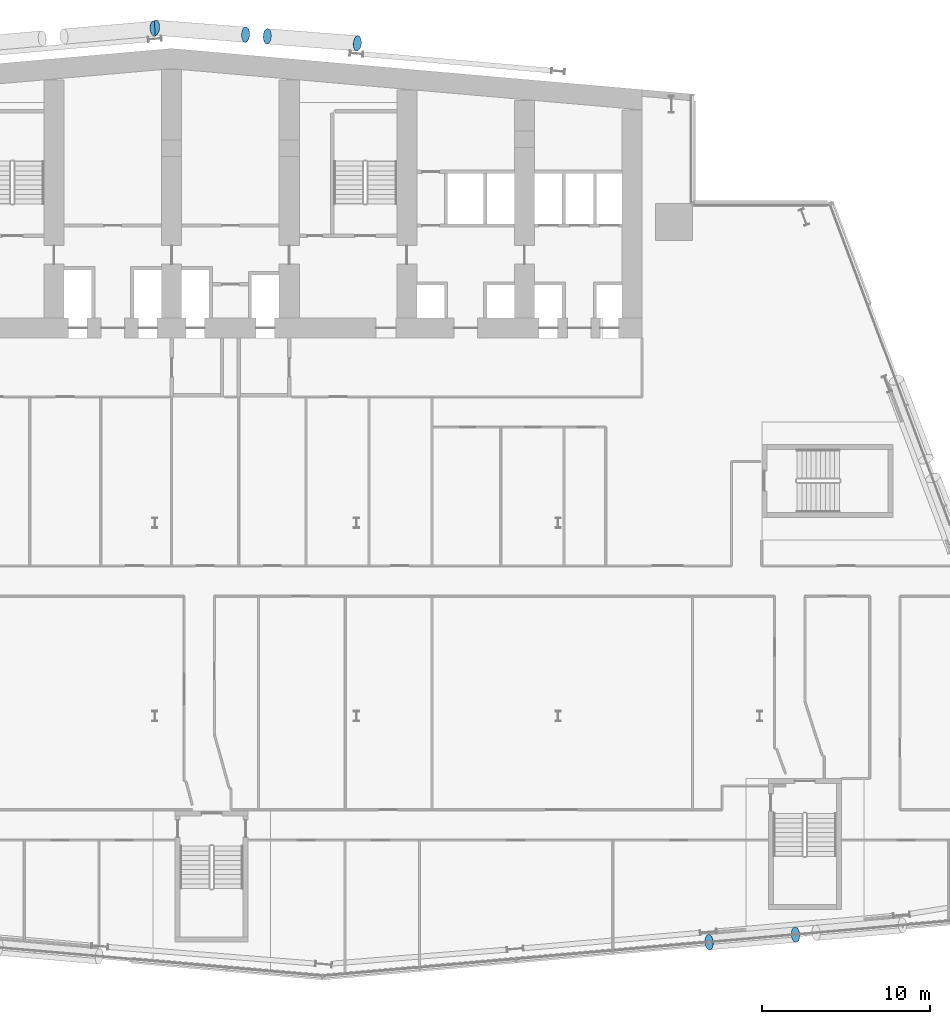
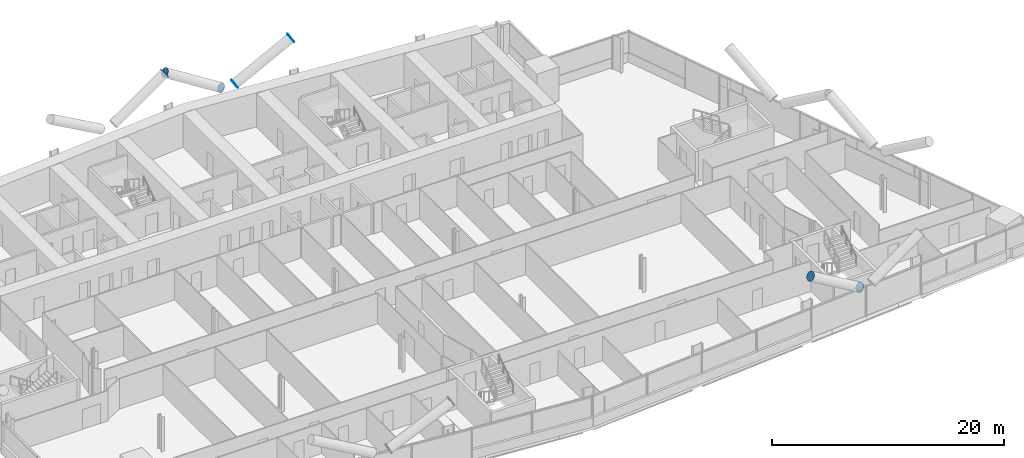
# One storey, part 22 of 27: 7 discrete accessories.
"""IFC4 building model written with IfcOpenShell, lengths in metres."""

from ifc_helpers import new_model, si_unit, direction, frame, origin, origin_2d, place, context, subcontext, project, spatial, circle, extrude, material, material_profile, profile_set, type_object, element, save


model = new_model("IFC4")

# Units and contexts
model_context = context("Model", 3, precision=1e-05, world=origin(), true_north=direction((0.0, 1.0)))
body_context = subcontext(model_context, "Body", "Model", "MODEL_VIEW")
ifc_project = project(units=[si_unit("LENGTHUNIT", "METRE"), si_unit("AREAUNIT", "SQUARE_METRE"), si_unit("VOLUMEUNIT", "CUBIC_METRE"), si_unit("PLANEANGLEUNIT", "RADIAN"), si_unit("MASSUNIT", "GRAM", prefix="KILO")], contexts=[model_context])

# Site, building, storey
site_placement = place(None, origin())
site = spatial("IfcSite", under=ifc_project, at=site_placement, CompositionType="ELEMENT")
building_placement = place(site_placement, origin())
building = spatial("IfcBuilding", under=site, at=building_placement, Name="Wharfspan Tower", CompositionType="ELEMENT")
storey_placement = place(building_placement, frame((0.0, 0.0, 55.899902)))
storey = spatial("IfcBuildingStorey", under=building, at=storey_placement, Name="L10", CompositionType="ELEMENT", Elevation=55.899902)

# Discrete accessories
ifc_material = material(Name="Steel S460NH", Category="steel")
ifc_material_profile = material_profile(ifc_material, circle(Radius=0.457031, at=origin_2d()))
ifc_profile_set = profile_set([ifc_material_profile], Name="Steel S460NH")
discrete_accessory_type = type_object("IfcDiscreteAccessoryType", Name="End plate CHS 914x40", PredefinedType="BRACKET", material=ifc_profile_set)
for number, where, z_axis, x_axis, name in (
    (1, (74.137451, -1.507568, 3.280518), (-0.837276, -0.073877, 0.541767), (0.087893, -0.996132, -1e-06), "End plate CHS 914x40"),
    (2, (68.995117, -1.95752, 6.5), (-0.837276, -0.073877, 0.541767), (0.087893, -0.996132, -1e-06), "End plate CHS 914x40"),
    (3, (35.947266, 52.412842, 6.5), (0.855186, 0.073302, 0.513112), (-0.085402, 0.996345, 1e-06), "End plate CHS 914x40"),
    (4, (42.687988, 51.960449, 3.285156), (0.856465, -0.048941, 0.513879), (0.05705, 0.998372, 0.0), "End plate CHS 914x40"),
    (5, (48.044434, 51.544434, 6.5), (0.855186, -0.073302, 0.513112), (0.085402, 0.996345, -1e-06), "End plate CHS 914x40"),
    (6, (41.405029, 52.060303, 3.285156), (-0.856465, 0.048941, 0.513879), (-0.05705, -0.998372, 0.0), "End plate CHS 914x40"),
    (7, (36.048584, 52.476318, 6.5), (-0.856465, 0.048941, 0.513879), (-0.05705, -0.998372, 0.0), "End plate CHS 914x40"),
):
    element("IfcDiscreteAccessory", number, at=place(storey_placement, frame(where, z_axis=z_axis, x_axis=x_axis)), inside=storey, type_object=discrete_accessory_type, Name=name, PredefinedType="BRACKET", context=body_context, shape_type="SweptSolid", body=[
        extrude(circle(Radius=0.457031, at=origin_2d()), origin(), (0.0, 0.0, 1.0), 0.01001),
    ])

save(model, "model.ifc")
